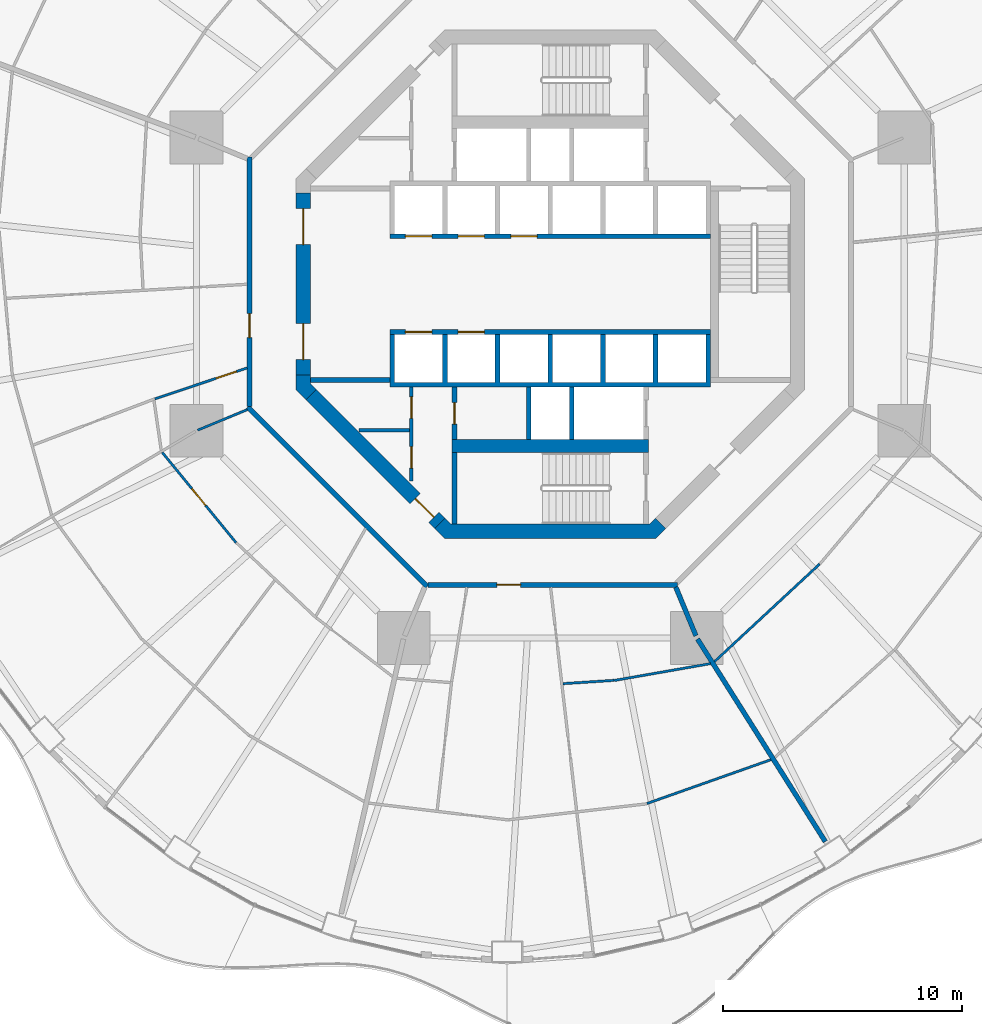
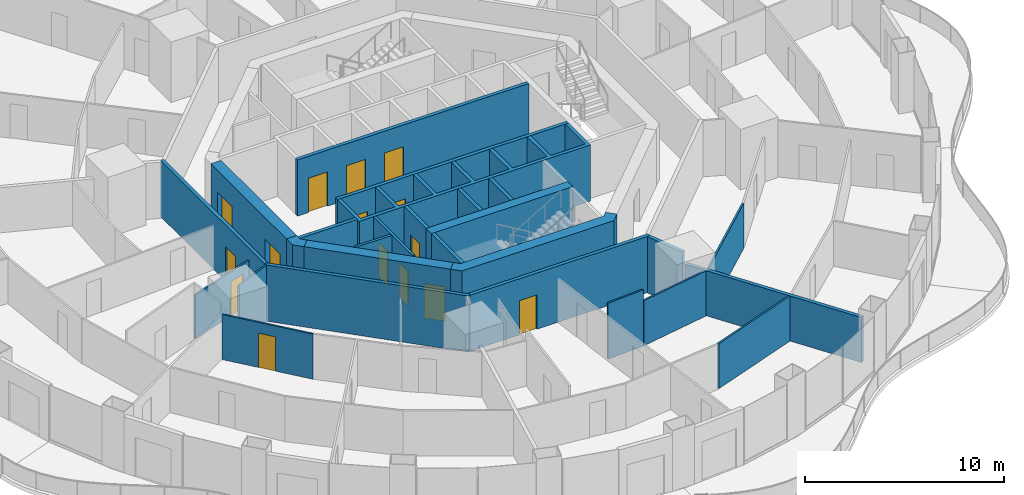
# One storey, part 15 of 22: 27 walls, 15 doors, 15 openings.
"""IFC4 building model written with IfcOpenShell, lengths in metres."""

from ifc_helpers import new_model, si_unit, direction, frame, frame_2d, origin, place, context, subcontext, project, spatial, polyline, rectangle, outline, extrude, material, layer, layer_set, type_object, element, fill, save


model = new_model("IFC4")

# Units and contexts
model_context = context("Model", 3, precision=1e-05, world=origin(), true_north=direction((0.0, 1.0)))
body_context = subcontext(model_context, "Body", "Model", "MODEL_VIEW")
ifc_project = project(units=[si_unit("LENGTHUNIT", "METRE"), si_unit("AREAUNIT", "SQUARE_METRE"), si_unit("VOLUMEUNIT", "CUBIC_METRE"), si_unit("PLANEANGLEUNIT", "RADIAN"), si_unit("MASSUNIT", "GRAM", prefix="KILO")], contexts=[model_context])

# Site, building, storey
site_placement = place(None, origin())
site = spatial("IfcSite", under=ifc_project, at=site_placement, CompositionType="ELEMENT")
building_placement = place(site_placement, origin())
building = spatial("IfcBuilding", under=site, at=building_placement, Name="Nagisa Residences", CompositionType="ELEMENT")
storey_placement = place(building_placement, frame((0.0, 0.0, 106.60009765625)))
storey = spatial("IfcBuildingStorey", under=building, at=storey_placement, Name="L26", CompositionType="ELEMENT", Elevation=106.60009765625)

# Walls
ifc_material_1 = material(Name="Gypsum board on steel studs", Category="steel")
ifc_layer_1 = layer(ifc_material_1, 0.199951171875)
ifc_layer_set_1 = layer_set([ifc_layer_1], Name="Apartment compartment wall EI60 200")
wall_type_1 = type_object("IfcWallType", Name="Apartment compartment wall EI60 200", PredefinedType="PARTITIONING", material=ifc_layer_set_1)
wall_1_placement = place(storey_placement, frame((5.24267578125, -12.6572265625, 0.0), z_axis=(0.0, 0.0, 1.0), x_axis=(0.382747093259, -0.923853160736, 0.0)))
element("IfcWall", 1, at=wall_1_placement, inside=storey, type_object=wall_type_1, Name="wall:L26:u06", PredefinedType="PARTITIONING", context=body_context, shape_type="SweptSolid", body=[
    extrude(rectangle(XDim=2.199951171875, YDim=0.199951171875, at=frame_2d((1.10009765625, 0.0))), origin(), (0.0, 0.0, 1.0), 3.43994140625),
])
wall_2_placement = place(storey_placement, frame((6.149658203125, -14.824462890625, 0.0), z_axis=(0.0, 0.0, 1.0), x_axis=(0.533492589682, -0.845804739142, 0.0)))
element("IfcWall", 2, at=wall_2_placement, inside=storey, type_object=wall_type_1, Name="wall:L26:u07", PredefinedType="PARTITIONING", context=body_context, shape_type="SweptSolid", body=[
    extrude(rectangle(XDim=10.006103515625, YDim=0.199951171875, at=frame_2d((5.0029296875, 0.0))), origin(), (0.0, 0.0, 1.0), 2.761962890625),
])

# Wall, opening, door
ifc_material_2 = material(Name="Gypsum board on steel studs", Category="steel")
ifc_layer_2 = layer(ifc_material_2, 0.199951171875)
ifc_layer_set_2 = layer_set([ifc_layer_2], Name="Apartment entry wall EI60 200")
wall_type_2 = type_object("IfcWallType", Name="Apartment entry wall EI60 200", PredefinedType="PARTITIONING", material=ifc_layer_set_2)
wall_3_placement = place(storey_placement, frame((-12.564697265625, 5.304443359375, 0.0), z_axis=(0.0, 0.0, 1.0), x_axis=(0.0, -1.0, 0.0)))
wall_3 = element("IfcWall", 3, at=wall_3_placement, inside=storey, type_object=wall_type_2, Name="wall:L26:u12", PredefinedType="PARTITIONING", context=body_context, shape_type="SweptSolid", body=[
    extrude(rectangle(XDim=10.408935546875, YDim=0.199951171875, at=frame_2d((5.20458984375, 0.0))), origin(), (0.0, 0.0, 1.0), 3.43994140625),
])
opening_1_placement = place(wall_3_placement, frame((6.539306640625, 0.0, 0.0)))
opening_1 = element("IfcOpeningElement", 4, at=opening_1_placement, cuts=wall_3, Name="Opening L26-U41", PredefinedType="OPENING", context=body_context, shape_type="SweptSolid", body=[
    extrude(rectangle(XDim=1.0, YDim=2.10009765625, at=frame_2d((0.5, 1.050048828125))), frame((0.0, 0.10986328125, 0.0), z_axis=(0.0, -1.0, 0.0), x_axis=(1.0, 0.0, 0.0)), (0.0, 0.0, 1.0), 0.219970703125),
])
ifc_material_3 = material(Name="Timber fire door set", Category="wood")
door_type_1 = type_object("IfcDoorType", Name="Apartment entry door FD30S 1000x2100", OperationType="NOTDEFINED", PredefinedType="DOOR", material=ifc_material_3)
door_1_placement = place(opening_1_placement, frame((1.0, 0.0, 0.0), x_axis=(-1.0, 0.0, 0.0)))
door_1 = element("IfcDoor", 5, at=door_1_placement, inside=storey, type_object=door_type_1, Name="Entry door, Apartment 26D", OperationType="SINGLE_SWING_RIGHT", OverallHeight=2.10009765625, OverallWidth=1.0, PredefinedType="DOOR", context=body_context, shape_type="SweptSolid", body=[
    extrude(rectangle(XDim=1.0, YDim=2.10009765625, at=frame_2d((0.5, 1.050048828125))), frame((0.0, 0.02490234375, 0.0), z_axis=(0.0, -1.0, 0.0), x_axis=(1.0, 0.0, 0.0)), (0.0, 0.0, 1.0), 0.050048828125),
])
fill(opening_1, door_1)

# Wall
wall_4_placement = place(storey_placement, frame((-12.635498046875, -5.1337890625, 0.0), z_axis=(0.0, 0.0, 1.0), x_axis=(0.707106781187, -0.707106781187, 0.0)))
element("IfcWall", 6, at=wall_4_placement, inside=storey, type_object=wall_type_2, Name="wall:L26:u13", PredefinedType="PARTITIONING", context=body_context, shape_type="SweptSolid", body=[
    extrude(rectangle(XDim=10.609130859375, YDim=0.199951171875, at=frame_2d((5.3046875, 0.0))), origin(), (0.0, 0.0, 1.0), 3.43994140625),
])

# Wall, opening, door
wall_5_placement = place(storey_placement, frame((-5.1044921875, -12.564697265625, 0.0), z_axis=(0.0, 0.0, 1.0), x_axis=(1.0, 0.0, 0.0)))
wall_5 = element("IfcWall", 7, at=wall_5_placement, inside=storey, type_object=wall_type_2, Name="wall:L26:u14", PredefinedType="PARTITIONING", context=body_context, shape_type="SweptSolid", body=[
    extrude(rectangle(XDim=10.408935546875, YDim=0.199951171875, at=frame_2d((5.20458984375, 0.0))), origin(), (0.0, 0.0, 1.0), 3.43994140625),
])
opening_2_placement = place(wall_5_placement, frame((2.86962890625, 0.0, 0.0)))
opening_2 = element("IfcOpeningElement", 8, at=opening_2_placement, cuts=wall_5, Name="Opening L26-U01", PredefinedType="OPENING", context=body_context, shape_type="SweptSolid", body=[
    extrude(rectangle(XDim=1.0, YDim=2.10009765625, at=frame_2d((0.5, 1.050048828125))), frame((0.0, 0.10986328125, 0.0), z_axis=(0.0, -1.0, 0.0), x_axis=(1.0, 0.0, 0.0)), (0.0, 0.0, 1.0), 0.219970703125),
])
door_2_placement = place(opening_2_placement, frame((1.0, 0.0, 0.0), x_axis=(-1.0, 0.0, 0.0)))
door_2 = element("IfcDoor", 9, at=door_2_placement, inside=storey, type_object=door_type_1, Name="Entry door, Apartment 26A", OperationType="SINGLE_SWING_RIGHT", OverallHeight=2.10009765625, OverallWidth=1.0, PredefinedType="DOOR", context=body_context, shape_type="SweptSolid", body=[
    extrude(rectangle(XDim=1.0, YDim=2.10009765625, at=frame_2d((0.5, 1.050048828125))), frame((0.0, 0.02490234375, 0.0), z_axis=(0.0, -1.0, 0.0), x_axis=(1.0, 0.0, 0.0)), (0.0, 0.0, 1.0), 0.050048828125),
])
fill(opening_2, door_2)

ifc_material_4 = material(Name="Gypsum board on steel studs", Category="steel")
ifc_layer_3 = layer(ifc_material_4, 0.10009765625)
ifc_layer_set_3 = layer_set([ifc_layer_3], Name="Apartment partition 100")
wall_type_3 = type_object("IfcWallType", Name="Apartment partition 100", PredefinedType="PARTITIONING", material=ifc_layer_set_3)
wall_6_placement = place(storey_placement, frame((-12.65966796875, -3.50146484375, 0.0), z_axis=(0.0, 0.0, 1.0), x_axis=(-0.94826823584, -0.317470239387, 0.0)))
wall_6 = element("IfcWall", 10, at=wall_6_placement, inside=storey, type_object=wall_type_3, Name="wall:L26:u61", PredefinedType="PARTITIONING", context=body_context, shape_type="SweptSolid", body=[
    extrude(rectangle(XDim=4.066650390625, YDim=0.10009765625, at=frame_2d((2.033203125, 0.0))), origin(), (0.0, 0.0, 1.0), 2.68701171875),
])
opening_3_placement = place(wall_6_placement, frame((0.473388671875, 0.0, 0.0)))
opening_3 = element("IfcOpeningElement", 11, at=opening_3_placement, cuts=wall_6, Name="Opening L26-U43", PredefinedType="OPENING", context=body_context, shape_type="SweptSolid", body=[
    extrude(rectangle(XDim=0.89990234375, YDim=2.10009765625, at=frame_2d((0.449951171875, 1.050048828125))), frame((0.0, 0.06005859375, 0.0), z_axis=(0.0, -1.0, 0.0), x_axis=(1.0, 0.0, 0.0)), (0.0, 0.0, 1.0), 0.1201171875),
])
ifc_material_5 = material(Name="Timber door set", Category="wood")
door_type_2 = type_object("IfcDoorType", Name="Apartment door 900x2100", OperationType="NOTDEFINED", PredefinedType="DOOR", material=ifc_material_5)
door_3_placement = place(opening_3_placement, origin())
door_3 = element("IfcDoor", 12, at=door_3_placement, inside=storey, type_object=door_type_2, Name="Door to family bathroom, Apartment 26D", OperationType="SINGLE_SWING_LEFT", OverallHeight=2.10009765625, OverallWidth=0.89990234375, PredefinedType="DOOR", context=body_context, shape_type="SweptSolid", body=[
    extrude(rectangle(XDim=0.89990234375, YDim=2.10009765625, at=frame_2d((0.449951171875, 1.050048828125))), frame((0.0, 0.02490234375, 0.0), z_axis=(0.0, -1.0, 0.0), x_axis=(1.0, 0.0, 0.0)), (0.0, 0.0, 1.0), 0.050048828125),
])
fill(opening_3, door_3)

# Wall
wall_7_placement = place(storey_placement, frame((-12.6572265625, -5.24267578125, 0.0), z_axis=(0.0, 0.0, 1.0), x_axis=(-0.923848837015, -0.382757529444, 0.0)))
element("IfcWall", 13, at=wall_7_placement, inside=storey, type_object=wall_type_3, Name="wall:L26:u64", PredefinedType="PARTITIONING", context=body_context, shape_type="SweptSolid", body=[
    extrude(rectangle(XDim=2.249755859375, YDim=0.10009765625, at=frame_2d((1.125, 0.0))), origin(), (0.0, 0.0, 1.0), 3.43994140625),
])

# Wall, opening, door
wall_8_placement = place(storey_placement, frame((-16.213623046875, -7.0283203125, 0.0), z_axis=(0.0, 0.0, 1.0), x_axis=(0.633412158846, -0.773814601197, 0.0)))
wall_8 = element("IfcWall", 14, at=wall_8_placement, inside=storey, type_object=wall_type_3, Name="wall:L26:u66", PredefinedType="PARTITIONING", context=body_context, shape_type="SweptSolid", body=[
    extrude(rectangle(XDim=4.879150390625, YDim=0.10009765625, at=frame_2d((2.439453125, 0.0))), origin(), (0.0, 0.0, 1.0), 2.761962890625),
])
opening_4_placement = place(wall_8_placement, frame((1.964599609375, 0.0, 0.0)))
opening_4 = element("IfcOpeningElement", 15, at=opening_4_placement, cuts=wall_8, Name="Opening L26-U52", PredefinedType="OPENING", context=body_context, shape_type="SweptSolid", body=[
    extrude(rectangle(XDim=0.89990234375, YDim=2.10009765625, at=frame_2d((0.449951171875, 1.050048828125))), frame((0.0, 0.06005859375, 0.0), z_axis=(0.0, -1.0, 0.0), x_axis=(1.0, 0.0, 0.0)), (0.0, 0.0, 1.0), 0.1201171875),
])
door_4_placement = place(opening_4_placement, origin())
door_4 = element("IfcDoor", 16, at=door_4_placement, inside=storey, type_object=door_type_2, Name="Door to store, Apartment 26D", OperationType="SINGLE_SWING_RIGHT", OverallHeight=2.10009765625, OverallWidth=0.89990234375, PredefinedType="DOOR", context=body_context, shape_type="SweptSolid", body=[
    extrude(rectangle(XDim=0.89990234375, YDim=2.10009765625, at=frame_2d((0.449951171875, 1.050048828125))), frame((0.0, 0.02490234375, 0.0), z_axis=(0.0, -1.0, 0.0), x_axis=(1.0, 0.0, 0.0)), (0.0, 0.0, 1.0), 0.050048828125),
])
fill(opening_4, door_4)

# Walls
wall_9_placement = place(storey_placement, frame((0.531494140625, -16.69140625, 0.0), z_axis=(0.0, 0.0, 1.0), x_axis=(0.997895869517, 0.064836977109, 0.0)))
element("IfcWall", 17, at=wall_9_placement, inside=storey, type_object=wall_type_3, Name="wall:L26:u80", PredefinedType="PARTITIONING", context=body_context, shape_type="SweptSolid", body=[
    extrude(rectangle(XDim=2.138671875, YDim=0.10009765625, at=frame_2d((1.0693359375, 0.0))), origin(), (0.0, 0.0, 1.0), 3.43994140625),
])
wall_10_placement = place(storey_placement, frame((2.66650390625, -16.558349609375, 0.0), z_axis=(0.0, 0.0, 1.0), x_axis=(0.984996445375, 0.172574629069, 0.0)))
element("IfcWall", 18, at=wall_10_placement, inside=storey, type_object=wall_type_3, Name="wall:L26:u81", PredefinedType="PARTITIONING", context=body_context, shape_type="SweptSolid", body=[
    extrude(rectangle(XDim=4.084228515625, YDim=0.10009765625, at=frame_2d((2.0419921875, 0.0))), origin(), (0.0, 0.0, 1.0), 2.761962890625),
])
wall_11_placement = place(storey_placement, frame((4.034423828125, -21.698486328125, 0.0), z_axis=(0.0, 0.0, 1.0), x_axis=(0.942861482644, 0.33318497047, 0.0)))
element("IfcWall", 19, at=wall_11_placement, inside=storey, type_object=wall_type_3, Name="wall:L26:u82", PredefinedType="PARTITIONING", context=body_context, shape_type="SweptSolid", body=[
    extrude(rectangle(XDim=5.494873046875, YDim=0.10009765625, at=frame_2d((2.74755859375, 0.0))), origin(), (0.0, 0.0, 1.0), 2.761962890625),
])
wall_12_placement = place(storey_placement, frame((6.861083984375, -15.768310546875, 0.0), z_axis=(0.0, 0.0, 1.0), x_axis=(0.733011256509, 0.680216508056, 0.0)))
element("IfcWall", 20, at=wall_12_placement, inside=storey, type_object=wall_type_3, Name="wall:L26:u83", PredefinedType="PARTITIONING", context=body_context, shape_type="SweptSolid", body=[
    extrude(rectangle(XDim=5.988525390625, YDim=0.10009765625, at=frame_2d((2.994140625, 0.0))), origin(), (0.0, 0.0, 1.0), 2.761962890625),
])

# Wall, openings, doors
ifc_material_6 = material(Name="Gypsum board on steel studs", Category="steel")
ifc_layer_4 = layer(ifc_material_6, 0.14990234375)
ifc_layer_set_4 = layer_set([ifc_layer_4], Name="Core partition 150")
wall_type_4 = type_object("IfcWallType", Name="Core partition 150", PredefinedType="PARTITIONING", material=ifc_layer_set_4)
wall_13_placement = place(storey_placement, frame((-5.800048828125, -8.22705078125, 0.0), z_axis=(0.0, 0.0, 1.0), x_axis=(0.0, 1.0, 0.0)))
wall_13 = element("IfcWall", 21, at=wall_13_placement, inside=storey, type_object=wall_type_4, Name="wall:L26:SWp", PredefinedType="PARTITIONING", context=body_context, shape_type="SweptSolid", body=[
    extrude(rectangle(XDim=3.927001953125, YDim=0.14990234375, at=frame_2d((1.96337890625, 0.0))), origin(), (0.0, 0.0, 1.0), 3.43994140625),
])
opening_5_placement = place(wall_13_placement, frame((2.614501953125, 0.0, 0.0)))
opening_5 = element("IfcOpeningElement", 22, at=opening_5_placement, cuts=wall_13, Name="Opening L26-C14", PredefinedType="OPENING", context=body_context, shape_type="SweptSolid", body=[
    extrude(rectangle(XDim=0.89990234375, YDim=2.10009765625, at=frame_2d((0.449951171875, 1.050048828125))), frame((0.0, 0.0849609375, 0.0), z_axis=(0.0, -1.0, 0.0), x_axis=(1.0, 0.0, 0.0)), (0.0, 0.0, 1.0), 0.169921875),
])
opening_6_placement = place(wall_13_placement, frame((0.53857421875, 0.0, 0.0)))
opening_6 = element("IfcOpeningElement", 23, at=opening_6_placement, cuts=wall_13, Name="Opening L26-C15", PredefinedType="OPENING", context=body_context, shape_type="SweptSolid", body=[
    extrude(rectangle(XDim=0.89990234375, YDim=2.10009765625, at=frame_2d((0.449951171875, 1.050048828125))), frame((0.0, 0.0849609375, 0.0), z_axis=(0.0, -1.0, 0.0), x_axis=(1.0, 0.0, 0.0)), (0.0, 0.0, 1.0), 0.169921875),
])
ifc_material_7 = material(Name="Steel fire door", Category="steel")
door_type_3 = type_object("IfcDoorType", Name="Fire door EI30 900x2100 single swing", OperationType="NOTDEFINED", PredefinedType="DOOR", material=ifc_material_7)
door_5_placement = place(opening_5_placement, origin())
door_5 = element("IfcDoor", 24, at=door_5_placement, inside=storey, type_object=door_type_3, Name="Janitor door L26", OperationType="SINGLE_SWING_RIGHT", OverallHeight=2.10009765625, OverallWidth=0.89990234375, PredefinedType="DOOR", context=body_context, shape_type="SweptSolid", body=[
    extrude(rectangle(XDim=0.89990234375, YDim=2.10009765625, at=frame_2d((0.449951171875, 1.050048828125))), frame((0.0, 0.02490234375, 0.0), z_axis=(0.0, -1.0, 0.0), x_axis=(1.0, 0.0, 0.0)), (0.0, 0.0, 1.0), 0.050048828125),
])
fill(opening_5, door_5)
door_6_placement = place(opening_6_placement, origin())
door_6 = element("IfcDoor", 25, at=door_6_placement, inside=storey, type_object=door_type_3, Name="Electrical room door L26", OperationType="SINGLE_SWING_RIGHT", OverallHeight=2.10009765625, OverallWidth=0.89990234375, PredefinedType="DOOR", context=body_context, shape_type="SweptSolid", body=[
    extrude(rectangle(XDim=0.89990234375, YDim=2.10009765625, at=frame_2d((0.449951171875, 1.050048828125))), frame((0.0, 0.02490234375, 0.0), z_axis=(0.0, -1.0, 0.0), x_axis=(1.0, 0.0, 0.0)), (0.0, 0.0, 1.0), 0.050048828125),
])
fill(opening_6, door_6)

# Walls
wall_14_placement = place(storey_placement, frame((-8.0009765625, -6.10009765625, 0.0), z_axis=(0.0, 0.0, 1.0), x_axis=(1.0, 0.0, 0.0)))
element("IfcWall", 26, at=wall_14_placement, inside=storey, type_object=wall_type_4, Name="wall:L26:SWq", PredefinedType="PARTITIONING", context=body_context, shape_type="SweptSolid", body=[
    extrude(rectangle(XDim=2.1259765625, YDim=0.14990234375, at=frame_2d((1.06298828125, 0.0))), origin(), (0.0, 0.0, 1.0), 3.43994140625),
])
ifc_material_8 = material(Name="Gypsum board on steel studs", Category="steel")
ifc_layer_5 = layer(ifc_material_8, 0.199951171875)
ifc_layer_set_5 = layer_set([ifc_layer_5], Name="Core partition 200")
wall_type_5 = type_object("IfcWallType", Name="Core partition 200", PredefinedType="PARTITIONING", material=ifc_layer_set_5)
wall_15_placement = place(storey_placement, frame((-10.024658203125, -4.0, 0.0), z_axis=(0.0, 0.0, 1.0), x_axis=(1.0, 0.0, 0.0)))
element("IfcWall", 27, at=wall_15_placement, inside=storey, type_object=wall_type_5, Name="wall:L26:PSW", PredefinedType="PARTITIONING", context=body_context, shape_type="SweptSolid", body=[
    extrude(rectangle(XDim=3.32470703125, YDim=0.199951171875, at=frame_2d((1.662353515625, 0.0))), origin(), (0.0, 0.0, 1.0), 3.43994140625),
])

# Wall, openings, doors
ifc_material_9 = material(Name="Concrete C60", Category="concrete")
ifc_layer_6 = layer(ifc_material_9, 0.60009765625)
ifc_layer_set_6 = layer_set([ifc_layer_6], Name="Core shear wall 600")
wall_type_6 = type_object("IfcWallType", Name="Core shear wall 600", PredefinedType="SHEAR", material=ifc_layer_set_6)
wall_16_placement = place(storey_placement, frame((-10.32470703125, 3.80078125, 0.0), z_axis=(0.0, 0.0, 1.0), x_axis=(0.0, -1.0, 0.0)))
wall_16 = element("IfcWall", 28, at=wall_16_placement, inside=storey, type_object=wall_type_6, Name="wall:L26:core:flat4", PredefinedType="SHEAR", context=body_context, shape_type="SweptSolid", body=[
    extrude(rectangle(XDim=7.6015625, YDim=0.60009765625, at=frame_2d((3.80078125, 0.0))), origin(), (0.0, 0.0, 1.0), 3.43994140625),
])
opening_7_placement = place(wall_16_placement, frame((0.65087890625, 0.0, 0.0)))
opening_7 = element("IfcOpeningElement", 29, at=opening_7_placement, cuts=wall_16, Name="Opening L26-C19", PredefinedType="OPENING", context=body_context, shape_type="SweptSolid", body=[
    extrude(rectangle(XDim=1.5, YDim=2.10009765625, at=frame_2d((0.75, 1.050048828125))), frame((0.0, 0.31005859375, 0.0), z_axis=(0.0, -1.0, 0.0), x_axis=(1.0, 0.0, 0.0)), (0.0, 0.0, 1.0), 0.6201171875),
])
opening_8_placement = place(wall_16_placement, frame((5.450927734375, 0.0, 0.0)))
opening_8 = element("IfcOpeningElement", 30, at=opening_8_placement, cuts=wall_16, Name="Opening L26-C20", PredefinedType="OPENING", context=body_context, shape_type="SweptSolid", body=[
    extrude(rectangle(XDim=1.5, YDim=2.10009765625, at=frame_2d((0.75, 1.050048828125))), frame((0.0, 0.31005859375, 0.0), z_axis=(0.0, -1.0, 0.0), x_axis=(1.0, 0.0, 0.0)), (0.0, 0.0, 1.0), 0.6201171875),
])
ifc_material_10 = material(Name="Steel fire door", Category="steel")
door_type_4 = type_object("IfcDoorType", Name="Fire door EI60 1500x2100 double door single swing", OperationType="DOUBLE_DOOR_SINGLE_SWING", PredefinedType="DOOR", material=ifc_material_10)
door_7_placement = place(opening_7_placement, origin())
door_7 = element("IfcDoor", 31, at=door_7_placement, inside=storey, type_object=door_type_4, Name="Lift lobby door L26 1", OperationType="DOUBLE_DOOR_SINGLE_SWING", OverallHeight=2.10009765625, OverallWidth=1.5, PredefinedType="DOOR", context=body_context, shape_type="SweptSolid", body=[
    extrude(rectangle(XDim=1.5, YDim=2.10009765625, at=frame_2d((0.75, 1.050048828125))), frame((0.0, 0.02490234375, 0.0), z_axis=(0.0, -1.0, 0.0), x_axis=(1.0, 0.0, 0.0)), (0.0, 0.0, 1.0), 0.050048828125),
])
fill(opening_7, door_7)
door_8_placement = place(opening_8_placement, origin())
door_8 = element("IfcDoor", 32, at=door_8_placement, inside=storey, type_object=door_type_4, Name="Lift lobby door L26 2", OperationType="DOUBLE_DOOR_SINGLE_SWING", OverallHeight=2.10009765625, OverallWidth=1.5, PredefinedType="DOOR", context=body_context, shape_type="SweptSolid", body=[
    extrude(rectangle(XDim=1.5, YDim=2.10009765625, at=frame_2d((0.75, 1.050048828125))), frame((0.0, 0.02490234375, 0.0), z_axis=(0.0, -1.0, 0.0), x_axis=(1.0, 0.0, 0.0)), (0.0, 0.0, 1.0), 0.050048828125),
])
fill(opening_8, door_8)

# Wall, opening, door
wall_17_placement = place(storey_placement, frame((-9.98828125, -4.613037109375, 0.0), z_axis=(0.0, 0.0, 1.0), x_axis=(0.707106781187, -0.707106781187, 0.0)))
wall_17 = element("IfcWall", 33, at=wall_17_placement, inside=storey, type_object=wall_type_6, Name="wall:L26:core:flat5", PredefinedType="SHEAR", context=body_context, shape_type="SweptSolid", body=[
    extrude(rectangle(XDim=7.601806640625, YDim=0.60009765625, at=frame_2d((3.80078125, 0.0))), origin(), (0.0, 0.0, 1.0), 3.43994140625),
])
opening_9_placement = place(wall_17_placement, frame((6.15087890625, 0.0, 0.0)))
opening_9 = element("IfcOpeningElement", 34, at=opening_9_placement, cuts=wall_17, Name="Opening L26-C22", PredefinedType="OPENING", context=body_context, shape_type="SweptSolid", body=[
    extrude(rectangle(XDim=1.10009765625, YDim=2.10009765625, at=frame_2d((0.550048828125, 1.050048828125))), frame((0.0, 0.31005859375, 0.0), z_axis=(0.0, -1.0, 0.0), x_axis=(1.0, 0.0, 0.0)), (0.0, 0.0, 1.0), 0.6201171875),
])
ifc_material_11 = material(Name="Steel fire door", Category="steel")
door_type_5 = type_object("IfcDoorType", Name="Fire door EI60 1100x2100 single swing", OperationType="NOTDEFINED", PredefinedType="DOOR", material=ifc_material_11)
door_9_placement = place(opening_9_placement, origin())
door_9 = element("IfcDoor", 35, at=door_9_placement, inside=storey, type_object=door_type_5, Name="Housekeeping lobby door L26", OperationType="SINGLE_SWING_RIGHT", OverallHeight=2.10009765625, OverallWidth=1.10009765625, PredefinedType="DOOR", context=body_context, shape_type="SweptSolid", body=[
    extrude(rectangle(XDim=1.10009765625, YDim=2.10009765625, at=frame_2d((0.550048828125, 1.050048828125))), frame((0.0, 0.02490234375, 0.0), z_axis=(0.0, -1.0, 0.0), x_axis=(1.0, 0.0, 0.0)), (0.0, 0.0, 1.0), 0.050048828125),
])
fill(opening_9, door_9)

# Walls
wall_18_placement = place(storey_placement, origin())
element("IfcWall", 36, at=wall_18_placement, inside=storey, type_object=wall_type_6, Name="wall:L26:core:pier4", PredefinedType="SHEAR", context=body_context, shape_type="SweptSolid", body=[
    extrude(outline(polyline([(-10.62451171875, -3.80078125), (-10.024658203125, -3.80078125), (-10.024658203125, -4.15234375), (-9.776123046875, -4.40087890625), (-10.200439453125, -4.8251953125), (-10.62451171875, -4.40087890625), (-10.62451171875, -3.80078125)])), origin(), (0.0, 0.0, 1.0), 3.43994140625),
])
wall_19_placement = place(storey_placement, origin())
element("IfcWall", 37, at=wall_19_placement, inside=storey, type_object=wall_type_6, Name="wall:L26:core:flat6", PredefinedType="SHEAR", context=body_context, shape_type="SweptSolid", body=[
    extrude(outline(polyline([(-4.15234375, -10.024658203125), (4.15234375, -10.024658203125), (4.40087890625, -9.776123046875), (4.8251953125, -10.200439453125), (4.40087890625, -10.62451171875), (-4.40087890625, -10.62451171875), (-4.8251953125, -10.200439453125), (-4.40087890625, -9.776123046875), (-4.15234375, -10.024658203125)])), origin(), (0.0, 0.0, 1.0), 3.43994140625),
])

# Wall, openings, doors
ifc_material_12 = material(Name="Concrete C60", Category="concrete")
ifc_layer_7 = layer(ifc_material_12, 0.199951171875)
ifc_layer_set_7 = layer_set([ifc_layer_7], Name="Lift shaft wall 200")
wall_type_7 = type_object("IfcWallType", Name="Lift shaft wall 200", PredefinedType="SOLIDWALL", material=ifc_layer_set_7)
wall_20_placement = place(storey_placement, frame((-6.699951171875, 2.0, 0.0), z_axis=(0.0, 0.0, 1.0), x_axis=(1.0, 0.0, 0.0)))
wall_20 = element("IfcWall", 38, at=wall_20_placement, inside=storey, type_object=wall_type_7, Name="wall:L26:Nfront", PredefinedType="SOLIDWALL", context=body_context, shape_type="SweptSolid", body=[
    extrude(rectangle(XDim=13.39990234375, YDim=0.199951171875, at=frame_2d((6.699951171875, 0.0))), origin(), (0.0, 0.0, 1.0), 3.43994140625),
])
opening_10_placement = place(wall_20_placement, frame((0.64990234375, 0.0, 0.0)))
opening_10 = element("IfcOpeningElement", 39, at=opening_10_placement, cuts=wall_20, Name="Opening L26-C01", PredefinedType="OPENING", context=body_context, shape_type="SweptSolid", body=[
    extrude(rectangle(XDim=1.10009765625, YDim=2.10009765625, at=frame_2d((0.550048828125, 1.050048828125))), frame((0.0, 0.10986328125, 0.0), z_axis=(0.0, -1.0, 0.0), x_axis=(1.0, 0.0, 0.0)), (0.0, 0.0, 1.0), 0.219970703125),
])
opening_11_placement = place(wall_20_placement, frame((2.85009765625, 0.0, 0.0)))
opening_11 = element("IfcOpeningElement", 40, at=opening_11_placement, cuts=wall_20, Name="Opening L26-C02", PredefinedType="OPENING", context=body_context, shape_type="SweptSolid", body=[
    extrude(rectangle(XDim=1.10009765625, YDim=2.10009765625, at=frame_2d((0.550048828125, 1.050048828125))), frame((0.0, 0.10986328125, 0.0), z_axis=(0.0, -1.0, 0.0), x_axis=(1.0, 0.0, 0.0)), (0.0, 0.0, 1.0), 0.219970703125),
])
opening_12_placement = place(wall_20_placement, frame((5.050048828125, 0.0, 0.0)))
opening_12 = element("IfcOpeningElement", 41, at=opening_12_placement, cuts=wall_20, Name="Opening L26-C03", PredefinedType="OPENING", context=body_context, shape_type="SweptSolid", body=[
    extrude(rectangle(XDim=1.10009765625, YDim=2.10009765625, at=frame_2d((0.550048828125, 1.050048828125))), frame((0.0, 0.10986328125, 0.0), z_axis=(0.0, -1.0, 0.0), x_axis=(1.0, 0.0, 0.0)), (0.0, 0.0, 1.0), 0.219970703125),
])
ifc_material_13 = material(Name="Stainless steel", Category="steel")
door_type_6 = type_object("IfcDoorType", Name="Lift landing door 1100x2100", OperationType="DOUBLE_DOOR_SLIDING", PredefinedType="DOOR", material=ifc_material_13)
door_10_placement = place(opening_10_placement, origin())
door_10 = element("IfcDoor", 42, at=door_10_placement, inside=storey, type_object=door_type_6, Name="Landing door A1 L26", OperationType="DOUBLE_DOOR_SLIDING", OverallHeight=2.10009765625, OverallWidth=1.10009765625, PredefinedType="DOOR", context=body_context, shape_type="SweptSolid", body=[
    extrude(rectangle(XDim=1.10009765625, YDim=2.10009765625, at=frame_2d((0.550048828125, 1.050048828125))), frame((0.0, 0.02490234375, 0.0), z_axis=(0.0, -1.0, 0.0), x_axis=(1.0, 0.0, 0.0)), (0.0, 0.0, 1.0), 0.050048828125),
])
fill(opening_10, door_10)
door_11_placement = place(opening_11_placement, origin())
door_11 = element("IfcDoor", 43, at=door_11_placement, inside=storey, type_object=door_type_6, Name="Landing door A2 L26", OperationType="DOUBLE_DOOR_SLIDING", OverallHeight=2.10009765625, OverallWidth=1.10009765625, PredefinedType="DOOR", context=body_context, shape_type="SweptSolid", body=[
    extrude(rectangle(XDim=1.10009765625, YDim=2.10009765625, at=frame_2d((0.550048828125, 1.050048828125))), frame((0.0, 0.02490234375, 0.0), z_axis=(0.0, -1.0, 0.0), x_axis=(1.0, 0.0, 0.0)), (0.0, 0.0, 1.0), 0.050048828125),
])
fill(opening_11, door_11)
door_12_placement = place(opening_12_placement, origin())
door_12 = element("IfcDoor", 44, at=door_12_placement, inside=storey, type_object=door_type_6, Name="Landing door A3 L26", OperationType="DOUBLE_DOOR_SLIDING", OverallHeight=2.10009765625, OverallWidth=1.10009765625, PredefinedType="DOOR", context=body_context, shape_type="SweptSolid", body=[
    extrude(rectangle(XDim=1.10009765625, YDim=2.10009765625, at=frame_2d((0.550048828125, 1.050048828125))), frame((0.0, 0.02490234375, 0.0), z_axis=(0.0, -1.0, 0.0), x_axis=(1.0, 0.0, 0.0)), (0.0, 0.0, 1.0), 0.050048828125),
])
fill(opening_12, door_12)

# Wall, opening, door
wall_21_placement = place(storey_placement, frame((-4.0, -6.5, 0.0), z_axis=(0.0, 0.0, 1.0), x_axis=(0.0, 1.0, 0.0)))
wall_21 = element("IfcWall", 45, at=wall_21_placement, inside=storey, type_object=wall_type_7, Name="wall:L26:Sb4", PredefinedType="SOLIDWALL", context=body_context, shape_type="SweptSolid", body=[
    extrude(rectangle(XDim=2.199951171875, YDim=0.199951171875, at=frame_2d((1.10009765625, 0.0))), origin(), (0.0, 0.0, 1.0), 3.43994140625),
])
opening_13_placement = place(wall_21_placement, frame((0.64990234375, 0.0, 0.0)))
opening_13 = element("IfcOpeningElement", 46, at=opening_13_placement, cuts=wall_21, Name="Opening L26-C16", PredefinedType="OPENING", context=body_context, shape_type="SweptSolid", body=[
    extrude(rectangle(XDim=0.89990234375, YDim=2.10009765625, at=frame_2d((0.449951171875, 1.050048828125))), frame((0.0, 0.10986328125, 0.0), z_axis=(0.0, -1.0, 0.0), x_axis=(1.0, 0.0, 0.0)), (0.0, 0.0, 1.0), 0.219970703125),
])
door_13_placement = place(opening_13_placement, frame((0.89990234375, 0.0, 0.0), x_axis=(-1.0, 0.0, 0.0)))
door_13 = element("IfcDoor", 47, at=door_13_placement, inside=storey, type_object=door_type_3, Name="Refuse room door L26", OperationType="SINGLE_SWING_RIGHT", OverallHeight=2.10009765625, OverallWidth=0.89990234375, PredefinedType="DOOR", context=body_context, shape_type="SweptSolid", body=[
    extrude(rectangle(XDim=0.89990234375, YDim=2.10009765625, at=frame_2d((0.449951171875, 1.050048828125))), frame((0.0, 0.02490234375, 0.0), z_axis=(0.0, -1.0, 0.0), x_axis=(1.0, 0.0, 0.0)), (0.0, 0.0, 1.0), 0.050048828125),
])
fill(opening_13, door_13)

# Wall, openings, doors
wall_22_placement = place(storey_placement, frame((-6.699951171875, -2.0, 0.0), z_axis=(0.0, 0.0, 1.0), x_axis=(1.0, 0.0, 0.0)))
wall_22 = element("IfcWall", 48, at=wall_22_placement, inside=storey, type_object=wall_type_7, Name="wall:L26:Sfront", PredefinedType="SOLIDWALL", context=body_context, shape_type="SweptSolid", body=[
    extrude(rectangle(XDim=13.39990234375, YDim=0.199951171875, at=frame_2d((6.699951171875, 0.0))), origin(), (0.0, 0.0, 1.0), 3.43994140625),
])
opening_14_placement = place(wall_22_placement, frame((0.64990234375, 0.0, 0.0)))
opening_14 = element("IfcOpeningElement", 49, at=opening_14_placement, cuts=wall_22, Name="Opening L26-C04", PredefinedType="OPENING", context=body_context, shape_type="SweptSolid", body=[
    extrude(rectangle(XDim=1.10009765625, YDim=2.10009765625, at=frame_2d((0.550048828125, 1.050048828125))), frame((0.0, 0.10986328125, 0.0), z_axis=(0.0, -1.0, 0.0), x_axis=(1.0, 0.0, 0.0)), (0.0, 0.0, 1.0), 0.219970703125),
])
opening_15_placement = place(wall_22_placement, frame((2.85009765625, 0.0, 0.0)))
opening_15 = element("IfcOpeningElement", 50, at=opening_15_placement, cuts=wall_22, Name="Opening L26-C05", PredefinedType="OPENING", context=body_context, shape_type="SweptSolid", body=[
    extrude(rectangle(XDim=1.10009765625, YDim=2.10009765625, at=frame_2d((0.550048828125, 1.050048828125))), frame((0.0, 0.10986328125, 0.0), z_axis=(0.0, -1.0, 0.0), x_axis=(1.0, 0.0, 0.0)), (0.0, 0.0, 1.0), 0.219970703125),
])
door_14_placement = place(opening_14_placement, origin())
door_14 = element("IfcDoor", 51, at=door_14_placement, inside=storey, type_object=door_type_6, Name="Landing door A4 L26", OperationType="DOUBLE_DOOR_SLIDING", OverallHeight=2.10009765625, OverallWidth=1.10009765625, PredefinedType="DOOR", context=body_context, shape_type="SweptSolid", body=[
    extrude(rectangle(XDim=1.10009765625, YDim=2.10009765625, at=frame_2d((0.550048828125, 1.050048828125))), frame((0.0, 0.02490234375, 0.0), z_axis=(0.0, -1.0, 0.0), x_axis=(1.0, 0.0, 0.0)), (0.0, 0.0, 1.0), 0.050048828125),
])
fill(opening_14, door_14)
door_15_placement = place(opening_15_placement, origin())
door_15 = element("IfcDoor", 52, at=door_15_placement, inside=storey, type_object=door_type_6, Name="Landing door A5 L26", OperationType="DOUBLE_DOOR_SLIDING", OverallHeight=2.10009765625, OverallWidth=1.10009765625, PredefinedType="DOOR", context=body_context, shape_type="SweptSolid", body=[
    extrude(rectangle(XDim=1.10009765625, YDim=2.10009765625, at=frame_2d((0.550048828125, 1.050048828125))), frame((0.0, 0.02490234375, 0.0), z_axis=(0.0, -1.0, 0.0), x_axis=(1.0, 0.0, 0.0)), (0.0, 0.0, 1.0), 0.050048828125),
])
fill(opening_15, door_15)

# Walls
for number, where, z_axis, x_axis, name in (
    (53, (-0.89990234375, -6.5, 0.0), (0.0, 0.0, 1.0), (0.0, 1.0, 0.0), "wall:L26:Sb1"),
    (54, (0.89990234375, -6.5, 0.0), (0.0, 0.0, 1.0), (0.0, 1.0, 0.0), "wall:L26:Sb2"),
):
    element("IfcWall", number, at=place(storey_placement, frame(where, z_axis=z_axis, x_axis=x_axis)), inside=storey, type_object=wall_type_7, Name=name, PredefinedType="SOLIDWALL", context=body_context, shape_type="SweptSolid", body=[
        extrude(rectangle(XDim=2.199951171875, YDim=0.199951171875, at=frame_2d((1.10009765625, 0.0))), origin(), (0.0, 0.0, 1.0), 3.43994140625),
    ])
wall_23_placement = place(storey_placement, origin())
element("IfcWall", 55, at=wall_23_placement, inside=storey, type_object=wall_type_7, Name="wall:L26:Sback", PredefinedType="SOLIDWALL", context=body_context, shape_type="SweptSolid", body=[
    extrude(outline(polyline([(-6.699951171875, -2.10009765625), (-6.5, -2.10009765625), (-6.5, -4.10009765625), (-4.5, -4.10009765625), (-4.5, -2.10009765625), (-4.300048828125, -2.10009765625), (-4.300048828125, -4.10009765625), (-2.300048828125, -4.10009765625), (-2.300048828125, -2.10009765625), (-2.10009765625, -2.10009765625), (-2.10009765625, -4.10009765625), (-0.10009765625, -4.10009765625), (-0.10009765625, -2.10009765625), (0.10009765625, -2.10009765625), (0.10009765625, -4.10009765625), (2.10009765625, -4.10009765625), (2.10009765625, -2.10009765625), (2.300048828125, -2.10009765625), (2.300048828125, -4.10009765625), (4.300048828125, -4.10009765625), (4.300048828125, -2.10009765625), (4.5, -2.10009765625), (4.5, -4.10009765625), (6.5, -4.10009765625), (6.5, -2.10009765625), (6.699951171875, -2.10009765625), (6.699951171875, -4.300048828125), (-6.699951171875, -4.300048828125), (-6.699951171875, -2.10009765625)])), origin(), (0.0, 0.0, 1.0), 3.43994140625),
])
ifc_material_14 = material(Name="Concrete C60", Category="concrete")
ifc_layer_8 = layer(ifc_material_14, 0.199951171875)
ifc_layer_set_8 = layer_set([ifc_layer_8], Name="Stair enclosure wall 200")
wall_type_8 = type_object("IfcWallType", Name="Stair enclosure wall 200", PredefinedType="SOLIDWALL", material=ifc_layer_set_8)
wall_24_placement = place(storey_placement, origin())
element("IfcWall", 56, at=wall_24_placement, inside=storey, type_object=wall_type_8, Name="wall:L26:SS_w", PredefinedType="SOLIDWALL", context=body_context, shape_type="SweptSolid", body=[
    extrude(outline(polyline([(-3.89990234375, -10.024658203125), (-4.10009765625, -10.024658203125), (-4.10009765625, -7.024658203125), (-3.89990234375, -7.024658203125), (-3.89990234375, -10.024658203125)])), origin(), (0.0, 0.0, 1.0), 3.43994140625),
])
wall_25_placement = place(storey_placement, origin())
element("IfcWall", 57, at=wall_25_placement, inside=storey, type_object=wall_type_8, Name="wall:L26:SS_n", PredefinedType="SOLIDWALL", context=body_context, shape_type="SweptSolid", body=[
    extrude(outline(polyline([(4.10009765625, -7.024658203125), (-4.10009765625, -7.024658203125), (-4.10009765625, -6.5), (4.10009765625, -6.5), (4.10009765625, -7.024658203125)])), origin(), (0.0, 0.0, 1.0), 3.43994140625),
])

save(model, "model.ifc")
